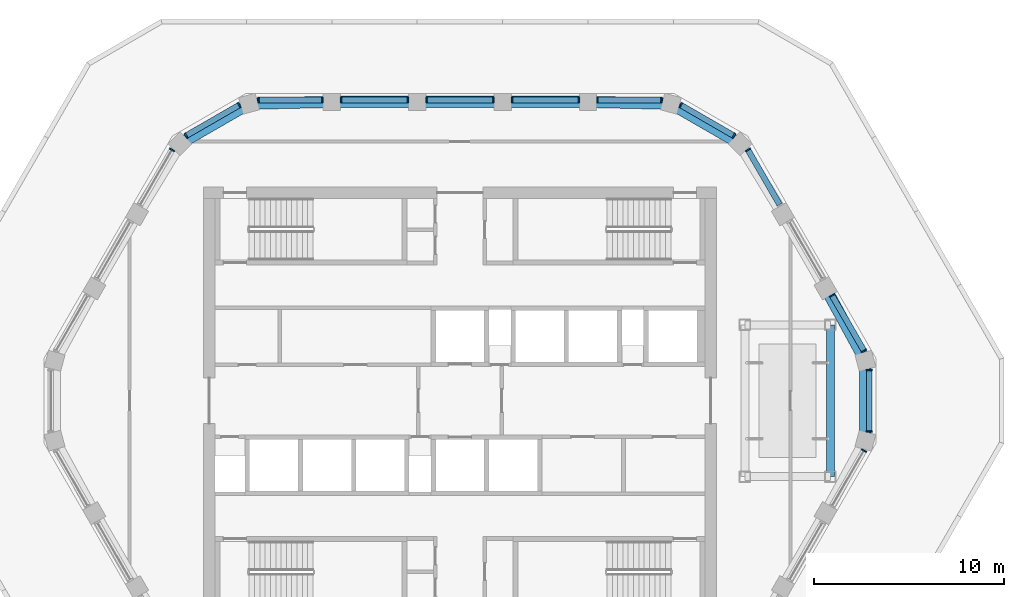
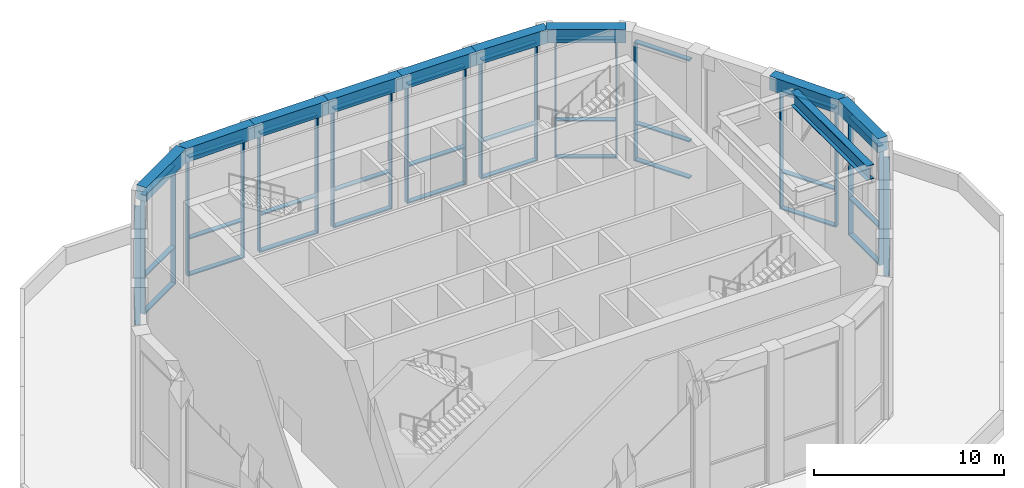
# One storey, part 3 of 11: 51 members, 10 beams, 12 elements without a shape of their own.
"""IFC4 building model written with IfcOpenShell, lengths in metres."""

from ifc_helpers import new_model, si_unit, direction, frame, origin, origin_2d, place, context, subcontext, project, spatial, rectangle, i_section, extrude, material, layer, layer_set, material_profile, profile_set, type_object, element, aggregate, save


model = new_model("IFC4")

# Units and contexts
model_context = context("Model", 3, precision=1e-05, world=origin(), true_north=direction((0.0, 1.0)))
body_context = subcontext(model_context, "Body", "Model", "MODEL_VIEW")
ifc_project = project(units=[si_unit("LENGTHUNIT", "METRE"), si_unit("AREAUNIT", "SQUARE_METRE"), si_unit("VOLUMEUNIT", "CUBIC_METRE"), si_unit("PLANEANGLEUNIT", "RADIAN"), si_unit("MASSUNIT", "GRAM", prefix="KILO")], contexts=[model_context])

# Site, building, storey
site_placement = place(None, origin())
site = spatial("IfcSite", under=ifc_project, at=site_placement, CompositionType="ELEMENT")
building_placement = place(site_placement, origin())
building = spatial("IfcBuilding", under=site, at=building_placement, Name="Dhurran Vertical Campus", CompositionType="ELEMENT")
storey_placement = place(building_placement, frame((0.0, 0.0, 309.89990234375)))
storey = spatial("IfcBuildingStorey", under=building, at=storey_placement, Name="L77 Damper Plant", CompositionType="ELEMENT", Elevation=309.89990234375)

# Curtain wall, member
ifc_material_1 = material(Name="Aluminium frame with solar-control glass", Category="aluminium")
ifc_layer = layer(ifc_material_1, 0.300048828125)
ifc_layer_set = layer_set([ifc_layer], Name="Aluminium frame with solar-control glass")
curtain_wall_type = type_object("IfcCurtainWallType", Name="Damper floor glazing system", PredefinedType="NOTDEFINED", material=ifc_layer_set)
curtain_wall_1_placement = place(storey_placement, origin())
curtain_wall_1 = element("IfcCurtainWall", 1, at=curtain_wall_1_placement, inside=storey, type_object=curtain_wall_type, Name="CW4 L77.08", PredefinedType="NOTDEFINED")
ifc_material_2 = material(Name="Aluminium mullion", Category="aluminium")
ifc_material_profile_1 = material_profile(ifc_material_2, rectangle(XDim=0.300048828125, YDim=0.080078125, at=origin_2d()), Name="Damper floor glazing system mullion")
ifc_profile_set_1 = profile_set([ifc_material_profile_1], Name="Aluminium mullion")
member_type_1 = type_object("IfcMemberType", Name="Damper floor glazing system mullion", PredefinedType="MULLION", material=ifc_profile_set_1)
member_1_placement = place(storey_placement, frame((21.27392578125, -2.62939453125, 0.0), z_axis=(0.0, 0.0, 1.0), x_axis=(-0.866027720988, 0.499995986465, 0.0)))
member_1 = element("IfcMember", 2, at=member_1_placement, type_object=member_type_1, Name="CW4 mullion 2", PredefinedType="MULLION", context=body_context, shape_type="SweptSolid", body=[
    extrude(rectangle(XDim=0.300048828125, YDim=0.080078125, at=origin_2d()), origin(), (0.0, 0.0, 1.0), 7.650146484375),
])
aggregate(curtain_wall_1, [member_1])

# Curtain wall, members
curtain_wall_2_placement = place(storey_placement, origin())
curtain_wall_2 = element("IfcCurtainWall", 3, at=curtain_wall_2_placement, inside=storey, type_object=curtain_wall_type, Name="CW4 L77.09", PredefinedType="NOTDEFINED")
member_2_placement = place(storey_placement, frame((21.547119140625, -1.60986328125, 0.0), z_axis=(0.0, 0.0, 1.0), x_axis=(-1.0, 0.0, 0.0)))
member_2 = element("IfcMember", 4, at=member_2_placement, type_object=member_type_1, Name="CW4 mullion 1", PredefinedType="MULLION", context=body_context, shape_type="SweptSolid", body=[
    extrude(rectangle(XDim=0.300048828125, YDim=0.080078125, at=origin_2d()), origin(), (0.0, 0.0, 1.0), 7.650146484375),
])
member_3_placement = place(storey_placement, frame((21.547119140625, 1.60986328125, 0.0), z_axis=(0.0, 0.0, 1.0), x_axis=(-1.0, 0.0, 0.0)))
member_3 = element("IfcMember", 5, at=member_3_placement, type_object=member_type_1, Name="CW4 mullion 2", PredefinedType="MULLION", context=body_context, shape_type="SweptSolid", body=[
    extrude(rectangle(XDim=0.300048828125, YDim=0.080078125, at=origin_2d()), origin(), (0.0, 0.0, 1.0), 7.650146484375),
])

curtain_wall_3_placement = place(storey_placement, origin())
curtain_wall_3 = element("IfcCurtainWall", 6, at=curtain_wall_3_placement, inside=storey, type_object=curtain_wall_type, Name="CW4 L77.10", PredefinedType="NOTDEFINED")
member_4_placement = place(storey_placement, frame((21.27392578125, 2.62939453125, 0.0), z_axis=(0.0, 0.0, 1.0), x_axis=(-0.866027720988, -0.499995986465, 0.0)))
member_4 = element("IfcMember", 7, at=member_4_placement, type_object=member_type_1, Name="CW4 mullion 1", PredefinedType="MULLION", context=body_context, shape_type="SweptSolid", body=[
    extrude(rectangle(XDim=0.300048828125, YDim=0.080078125, at=origin_2d()), origin(), (0.0, 0.0, 1.0), 7.650146484375),
])
member_5_placement = place(storey_placement, frame((19.58935546875, 5.54736328125, 0.0), z_axis=(0.0, 0.0, 1.0), x_axis=(-0.866027720988, -0.499995986465, 0.0)))
member_5 = element("IfcMember", 8, at=member_5_placement, type_object=member_type_1, Name="CW4 mullion 2", PredefinedType="MULLION", context=body_context, shape_type="SweptSolid", body=[
    extrude(rectangle(XDim=0.300048828125, YDim=0.080078125, at=origin_2d()), origin(), (0.0, 0.0, 1.0), 7.650146484375),
])

# Curtain wall, member
curtain_wall_4_placement = place(storey_placement, origin())
curtain_wall_4 = element("IfcCurtainWall", 9, at=curtain_wall_4_placement, inside=storey, type_object=curtain_wall_type, Name="CW4 L77.12", PredefinedType="NOTDEFINED")
member_6_placement = place(storey_placement, frame((15.1640625, 13.2119140625, 0.0), z_axis=(0.0, 0.0, 1.0), x_axis=(-0.866020473248, -0.500008539842, 0.0)))
member_6 = element("IfcMember", 10, at=member_6_placement, type_object=member_type_1, Name="CW4 mullion 2", PredefinedType="MULLION", context=body_context, shape_type="SweptSolid", body=[
    extrude(rectangle(XDim=0.300048828125, YDim=0.080078125, at=origin_2d()), origin(), (0.0, 0.0, 1.0), 7.650146484375),
])

# Curtain wall, members
curtain_wall_5_placement = place(storey_placement, origin())
curtain_wall_5 = element("IfcCurtainWall", 11, at=curtain_wall_5_placement, inside=storey, type_object=curtain_wall_type, Name="CW4 L77.13", PredefinedType="NOTDEFINED")
member_7_placement = place(storey_placement, frame((14.417724609375, 13.958251953125, 0.0), z_axis=(0.0, 0.0, 1.0), x_axis=(-0.500001394569, -0.866024598628, 0.0)))
member_7 = element("IfcMember", 12, at=member_7_placement, type_object=member_type_1, Name="CW4 mullion 1", PredefinedType="MULLION", context=body_context, shape_type="SweptSolid", body=[
    extrude(rectangle(XDim=0.300048828125, YDim=0.080078125, at=origin_2d()), origin(), (0.0, 0.0, 1.0), 7.650146484375),
])
member_8_placement = place(storey_placement, frame((11.62939453125, 15.568115234375, 0.0), z_axis=(0.0, 0.0, 1.0), x_axis=(-0.500001394569, -0.866024598628, 0.0)))
member_8 = element("IfcMember", 13, at=member_8_placement, type_object=member_type_1, Name="CW4 mullion 2", PredefinedType="MULLION", context=body_context, shape_type="SweptSolid", body=[
    extrude(rectangle(XDim=0.300048828125, YDim=0.080078125, at=origin_2d()), origin(), (0.0, 0.0, 1.0), 7.650146484375),
])

curtain_wall_6_placement = place(storey_placement, origin())
curtain_wall_6 = element("IfcCurtainWall", 14, at=curtain_wall_6_placement, inside=storey, type_object=curtain_wall_type, Name="CW4 L77.14", PredefinedType="NOTDEFINED")
member_9_placement = place(storey_placement, frame((10.60986328125, 15.84130859375, 0.0), z_axis=(0.0, 0.0, 1.0), x_axis=(0.0, -1.0, 0.0)))
member_9 = element("IfcMember", 15, at=member_9_placement, type_object=member_type_1, Name="CW4 mullion 1", PredefinedType="MULLION", context=body_context, shape_type="SweptSolid", body=[
    extrude(rectangle(XDim=0.300048828125, YDim=0.080078125, at=origin_2d()), origin(), (0.0, 0.0, 1.0), 7.650146484375),
])
member_10_placement = place(storey_placement, frame((7.240478515625, 15.84130859375, 0.0), z_axis=(0.0, 0.0, 1.0), x_axis=(0.0, -1.0, 0.0)))
member_10 = element("IfcMember", 16, at=member_10_placement, type_object=member_type_1, Name="CW4 mullion 2", PredefinedType="MULLION", context=body_context, shape_type="SweptSolid", body=[
    extrude(rectangle(XDim=0.300048828125, YDim=0.080078125, at=origin_2d()), origin(), (0.0, 0.0, 1.0), 7.650146484375),
])

curtain_wall_7_placement = place(storey_placement, origin())
curtain_wall_7 = element("IfcCurtainWall", 17, at=curtain_wall_7_placement, inside=storey, type_object=curtain_wall_type, Name="CW4 L77.15", PredefinedType="NOTDEFINED")
member_11_placement = place(storey_placement, frame((6.259521484375, 15.84130859375, 0.0), z_axis=(0.0, 0.0, 1.0), x_axis=(0.0, -1.0, 0.0)))
member_11 = element("IfcMember", 18, at=member_11_placement, type_object=member_type_1, Name="CW4 mullion 1", PredefinedType="MULLION", context=body_context, shape_type="SweptSolid", body=[
    extrude(rectangle(XDim=0.300048828125, YDim=0.080078125, at=origin_2d()), origin(), (0.0, 0.0, 1.0), 7.650146484375),
])
member_12_placement = place(storey_placement, frame((2.740478515625, 15.84130859375, 0.0), z_axis=(0.0, 0.0, 1.0), x_axis=(0.0, -1.0, 0.0)))
member_12 = element("IfcMember", 19, at=member_12_placement, type_object=member_type_1, Name="CW4 mullion 2", PredefinedType="MULLION", context=body_context, shape_type="SweptSolid", body=[
    extrude(rectangle(XDim=0.300048828125, YDim=0.080078125, at=origin_2d()), origin(), (0.0, 0.0, 1.0), 7.650146484375),
])

curtain_wall_8_placement = place(storey_placement, origin())
curtain_wall_8 = element("IfcCurtainWall", 20, at=curtain_wall_8_placement, inside=storey, type_object=curtain_wall_type, Name="CW4 L77.16", PredefinedType="NOTDEFINED")
member_13_placement = place(storey_placement, frame((1.759521484375, 15.84130859375, 0.0), z_axis=(0.0, 0.0, 1.0), x_axis=(0.0, -1.0, 0.0)))
member_13 = element("IfcMember", 21, at=member_13_placement, type_object=member_type_1, Name="CW4 mullion 1", PredefinedType="MULLION", context=body_context, shape_type="SweptSolid", body=[
    extrude(rectangle(XDim=0.300048828125, YDim=0.080078125, at=origin_2d()), origin(), (0.0, 0.0, 1.0), 7.650146484375),
])
member_14_placement = place(storey_placement, frame((-1.759521484375, 15.84130859375, 0.0), z_axis=(0.0, 0.0, 1.0), x_axis=(0.0, -1.0, 0.0)))
member_14 = element("IfcMember", 22, at=member_14_placement, type_object=member_type_1, Name="CW4 mullion 2", PredefinedType="MULLION", context=body_context, shape_type="SweptSolid", body=[
    extrude(rectangle(XDim=0.300048828125, YDim=0.080078125, at=origin_2d()), origin(), (0.0, 0.0, 1.0), 7.650146484375),
])

curtain_wall_9_placement = place(storey_placement, origin())
curtain_wall_9 = element("IfcCurtainWall", 23, at=curtain_wall_9_placement, inside=storey, type_object=curtain_wall_type, Name="CW4 L77.17", PredefinedType="NOTDEFINED")
member_15_placement = place(storey_placement, frame((-2.740478515625, 15.84130859375, 0.0), z_axis=(0.0, 0.0, 1.0), x_axis=(0.0, -1.0, 0.0)))
member_15 = element("IfcMember", 24, at=member_15_placement, type_object=member_type_1, Name="CW4 mullion 1", PredefinedType="MULLION", context=body_context, shape_type="SweptSolid", body=[
    extrude(rectangle(XDim=0.300048828125, YDim=0.080078125, at=origin_2d()), origin(), (0.0, 0.0, 1.0), 7.650146484375),
])
member_16_placement = place(storey_placement, frame((-6.259521484375, 15.84130859375, 0.0), z_axis=(0.0, 0.0, 1.0), x_axis=(0.0, -1.0, 0.0)))
member_16 = element("IfcMember", 25, at=member_16_placement, type_object=member_type_1, Name="CW4 mullion 2", PredefinedType="MULLION", context=body_context, shape_type="SweptSolid", body=[
    extrude(rectangle(XDim=0.300048828125, YDim=0.080078125, at=origin_2d()), origin(), (0.0, 0.0, 1.0), 7.650146484375),
])

curtain_wall_10_placement = place(storey_placement, origin())
curtain_wall_10 = element("IfcCurtainWall", 26, at=curtain_wall_10_placement, inside=storey, type_object=curtain_wall_type, Name="CW4 L77.18", PredefinedType="NOTDEFINED")
member_17_placement = place(storey_placement, frame((-7.240478515625, 15.84130859375, 0.0), z_axis=(0.0, 0.0, 1.0), x_axis=(0.0, -1.0, 0.0)))
member_17 = element("IfcMember", 27, at=member_17_placement, type_object=member_type_1, Name="CW4 mullion 1", PredefinedType="MULLION", context=body_context, shape_type="SweptSolid", body=[
    extrude(rectangle(XDim=0.300048828125, YDim=0.080078125, at=origin_2d()), origin(), (0.0, 0.0, 1.0), 7.650146484375),
])
member_18_placement = place(storey_placement, frame((-10.60986328125, 15.84130859375, 0.0), z_axis=(0.0, 0.0, 1.0), x_axis=(0.0, -1.0, 0.0)))
member_18 = element("IfcMember", 28, at=member_18_placement, type_object=member_type_1, Name="CW4 mullion 2", PredefinedType="MULLION", context=body_context, shape_type="SweptSolid", body=[
    extrude(rectangle(XDim=0.300048828125, YDim=0.080078125, at=origin_2d()), origin(), (0.0, 0.0, 1.0), 7.650146484375),
])

curtain_wall_11_placement = place(storey_placement, origin())
curtain_wall_11 = element("IfcCurtainWall", 29, at=curtain_wall_11_placement, inside=storey, type_object=curtain_wall_type, Name="CW4 L77.19", PredefinedType="NOTDEFINED")
member_19_placement = place(storey_placement, frame((-11.62939453125, 15.568115234375, 0.0), z_axis=(0.0, 0.0, 1.0), x_axis=(0.500001394569, -0.866024598628, 0.0)))
member_19 = element("IfcMember", 30, at=member_19_placement, type_object=member_type_1, Name="CW4 mullion 1", PredefinedType="MULLION", context=body_context, shape_type="SweptSolid", body=[
    extrude(rectangle(XDim=0.300048828125, YDim=0.080078125, at=origin_2d()), origin(), (0.0, 0.0, 1.0), 7.650146484375),
])
member_20_placement = place(storey_placement, frame((-14.417724609375, 13.958251953125, 0.0), z_axis=(0.0, 0.0, 1.0), x_axis=(0.500001394569, -0.866024598628, 0.0)))
member_20 = element("IfcMember", 31, at=member_20_placement, type_object=member_type_1, Name="CW4 mullion 2", PredefinedType="MULLION", context=body_context, shape_type="SweptSolid", body=[
    extrude(rectangle(XDim=0.300048828125, YDim=0.080078125, at=origin_2d()), origin(), (0.0, 0.0, 1.0), 7.650146484375),
])

# Curtain wall, member
curtain_wall_12_placement = place(storey_placement, origin())
curtain_wall_12 = element("IfcCurtainWall", 32, at=curtain_wall_12_placement, inside=storey, type_object=curtain_wall_type, Name="CW4 L77.20", PredefinedType="NOTDEFINED")
member_21_placement = place(storey_placement, frame((-15.1640625, 13.2119140625, 0.0), z_axis=(0.0, 0.0, 1.0), x_axis=(0.866020473248, -0.500008539842, 0.0)))
member_21 = element("IfcMember", 33, at=member_21_placement, type_object=member_type_1, Name="CW4 mullion 1", PredefinedType="MULLION", context=body_context, shape_type="SweptSolid", body=[
    extrude(rectangle(XDim=0.300048828125, YDim=0.080078125, at=origin_2d()), origin(), (0.0, 0.0, 1.0), 7.650146484375),
])
aggregate(curtain_wall_12, [member_21])

# Member
ifc_material_3 = material(Name="Aluminium transom", Category="aluminium")
ifc_material_profile_2 = material_profile(ifc_material_3, rectangle(XDim=0.300048828125, YDim=0.080078125, at=origin_2d()), Name="Damper floor glazing system transom")
ifc_profile_set_2 = profile_set([ifc_material_profile_2], Name="Aluminium transom")
member_type_2 = type_object("IfcMemberType", Name="Damper floor glazing system transom", PredefinedType="USERDEFINED", material=ifc_profile_set_2)
member_22_placement = place(storey_placement, frame((21.547119140625, -1.56982421875, 0.0400390625), z_axis=(0.0, 1.0, 0.0), x_axis=(-1.0, 0.0, 0.0)))
member_22 = element("IfcMember", 34, at=member_22_placement, type_object=member_type_2, Name="CW4 transom 1.1", ObjectType="TRANSOM", PredefinedType="USERDEFINED", context=body_context, shape_type="SweptSolid", body=[
    extrude(rectangle(XDim=0.300048828125, YDim=0.080078125, at=origin_2d()), origin(), (0.0, 0.0, 1.0), 3.1396484375),
])

member_23_placement = place(storey_placement, frame((21.547119140625, -1.56982421875, 2.400146484375), z_axis=(0.0, 1.0, 0.0), x_axis=(-1.0, 0.0, 0.0)))
member_23 = element("IfcMember", 35, at=member_23_placement, type_object=member_type_2, Name="CW4 transom 1.2", ObjectType="TRANSOM", PredefinedType="USERDEFINED", context=body_context, shape_type="SweptSolid", body=[
    extrude(rectangle(XDim=0.300048828125, YDim=0.080078125, at=origin_2d()), origin(), (0.0, 0.0, 1.0), 3.1396484375),
])

member_24_placement = place(storey_placement, frame((21.547119140625, -1.56982421875, 7.610107421875), z_axis=(0.0, 1.0, 0.0), x_axis=(-1.0, 0.0, 0.0)))
member_24 = element("IfcMember", 36, at=member_24_placement, type_object=member_type_2, Name="CW4 transom 1.3", ObjectType="TRANSOM", PredefinedType="USERDEFINED", context=body_context, shape_type="SweptSolid", body=[
    extrude(rectangle(XDim=0.300048828125, YDim=0.080078125, at=origin_2d()), origin(), (0.0, 0.0, 1.0), 3.1396484375),
])

aggregate(curtain_wall_2, [member_2, member_3, member_22, member_23, member_24])

member_25_placement = place(storey_placement, frame((21.25390625, 2.6640625, 0.0400390625), z_axis=(-0.499970888758, 0.866042210515, 0.0), x_axis=(-0.866042210515, -0.499970888758, 0.0)))
member_25 = element("IfcMember", 37, at=member_25_placement, type_object=member_type_2, Name="CW4 transom 1.1", ObjectType="TRANSOM", PredefinedType="USERDEFINED", context=body_context, shape_type="SweptSolid", body=[
    extrude(rectangle(XDim=0.300048828125, YDim=0.080078125, at=origin_2d()), origin(), (0.0, 0.0, 1.0), 3.289306640625),
])

member_26_placement = place(storey_placement, frame((21.25390625, 2.6640625, 2.400146484375), z_axis=(-0.499970888758, 0.866042210515, 0.0), x_axis=(-0.866042210515, -0.499970888758, 0.0)))
member_26 = element("IfcMember", 38, at=member_26_placement, type_object=member_type_2, Name="CW4 transom 1.2", ObjectType="TRANSOM", PredefinedType="USERDEFINED", context=body_context, shape_type="SweptSolid", body=[
    extrude(rectangle(XDim=0.300048828125, YDim=0.080078125, at=origin_2d()), origin(), (0.0, 0.0, 1.0), 3.289306640625),
])

member_27_placement = place(storey_placement, frame((21.25390625, 2.6640625, 7.610107421875), z_axis=(-0.499970888758, 0.866042210515, 0.0), x_axis=(-0.866042210515, -0.499970888758, 0.0)))
member_27 = element("IfcMember", 39, at=member_27_placement, type_object=member_type_2, Name="CW4 transom 1.3", ObjectType="TRANSOM", PredefinedType="USERDEFINED", context=body_context, shape_type="SweptSolid", body=[
    extrude(rectangle(XDim=0.300048828125, YDim=0.080078125, at=origin_2d()), origin(), (0.0, 0.0, 1.0), 3.289306640625),
])

aggregate(curtain_wall_3, [member_4, member_5, member_25, member_26, member_27])

member_28_placement = place(storey_placement, frame((16.828857421875, 10.32861328125, 0.0400390625), z_axis=(-0.5000265556, 0.866010071359, 0.0), x_axis=(-0.866010071359, -0.5000265556, 0.0)))
member_28 = element("IfcMember", 40, at=member_28_placement, type_object=member_type_2, Name="CW4 transom 1.1", ObjectType="TRANSOM", PredefinedType="USERDEFINED", context=body_context, shape_type="SweptSolid", body=[
    extrude(rectangle(XDim=0.300048828125, YDim=0.080078125, at=origin_2d()), origin(), (0.0, 0.0, 1.0), 3.289306640625),
])

member_29_placement = place(storey_placement, frame((16.828857421875, 10.32861328125, 2.400146484375), z_axis=(-0.5000265556, 0.866010071359, 0.0), x_axis=(-0.866010071359, -0.5000265556, 0.0)))
member_29 = element("IfcMember", 41, at=member_29_placement, type_object=member_type_2, Name="CW4 transom 1.2", ObjectType="TRANSOM", PredefinedType="USERDEFINED", context=body_context, shape_type="SweptSolid", body=[
    extrude(rectangle(XDim=0.300048828125, YDim=0.080078125, at=origin_2d()), origin(), (0.0, 0.0, 1.0), 3.289306640625),
])

member_30_placement = place(storey_placement, frame((16.828857421875, 10.32861328125, 7.610107421875), z_axis=(-0.5000265556, 0.866010071359, 0.0), x_axis=(-0.866010071359, -0.5000265556, 0.0)))
member_30 = element("IfcMember", 42, at=member_30_placement, type_object=member_type_2, Name="CW4 transom 1.3", ObjectType="TRANSOM", PredefinedType="USERDEFINED", context=body_context, shape_type="SweptSolid", body=[
    extrude(rectangle(XDim=0.300048828125, YDim=0.080078125, at=origin_2d()), origin(), (0.0, 0.0, 1.0), 3.289306640625),
])

aggregate(curtain_wall_4, [member_6, member_28, member_29, member_30])

member_31_placement = place(storey_placement, frame((14.383056640625, 13.978271484375, 0.0400390625), z_axis=(-0.866023718453, 0.500002919068, 0.0), x_axis=(-0.500002919068, -0.866023718453, 0.0)))
member_31 = element("IfcMember", 43, at=member_31_placement, type_object=member_type_2, Name="CW4 transom 1.1", ObjectType="TRANSOM", PredefinedType="USERDEFINED", context=body_context, shape_type="SweptSolid", body=[
    extrude(rectangle(XDim=0.300048828125, YDim=0.080078125, at=origin_2d()), origin(), (0.0, 0.0, 1.0), 3.1396484375),
])

member_32_placement = place(storey_placement, frame((14.383056640625, 13.978271484375, 2.400146484375), z_axis=(-0.866023718453, 0.500002919068, 0.0), x_axis=(-0.500002919068, -0.866023718453, 0.0)))
member_32 = element("IfcMember", 44, at=member_32_placement, type_object=member_type_2, Name="CW4 transom 1.2", ObjectType="TRANSOM", PredefinedType="USERDEFINED", context=body_context, shape_type="SweptSolid", body=[
    extrude(rectangle(XDim=0.300048828125, YDim=0.080078125, at=origin_2d()), origin(), (0.0, 0.0, 1.0), 3.1396484375),
])

member_33_placement = place(storey_placement, frame((14.383056640625, 13.978271484375, 7.610107421875), z_axis=(-0.866023718453, 0.500002919068, 0.0), x_axis=(-0.500002919068, -0.866023718453, 0.0)))
member_33 = element("IfcMember", 45, at=member_33_placement, type_object=member_type_2, Name="CW4 transom 1.3", ObjectType="TRANSOM", PredefinedType="USERDEFINED", context=body_context, shape_type="SweptSolid", body=[
    extrude(rectangle(XDim=0.300048828125, YDim=0.080078125, at=origin_2d()), origin(), (0.0, 0.0, 1.0), 3.1396484375),
])

aggregate(curtain_wall_5, [member_7, member_8, member_31, member_32, member_33])

member_34_placement = place(storey_placement, frame((10.56982421875, 15.84130859375, 0.0400390625), z_axis=(-1.0, 0.0, 0.0), x_axis=(0.0, -1.0, 0.0)))
member_34 = element("IfcMember", 46, at=member_34_placement, type_object=member_type_2, Name="CW4 transom 1.1", ObjectType="TRANSOM", PredefinedType="USERDEFINED", context=body_context, shape_type="SweptSolid", body=[
    extrude(rectangle(XDim=0.300048828125, YDim=0.080078125, at=origin_2d()), origin(), (0.0, 0.0, 1.0), 3.289306640625),
])

member_35_placement = place(storey_placement, frame((10.56982421875, 15.84130859375, 2.400146484375), z_axis=(-1.0, 0.0, 0.0), x_axis=(0.0, -1.0, 0.0)))
member_35 = element("IfcMember", 47, at=member_35_placement, type_object=member_type_2, Name="CW4 transom 1.2", ObjectType="TRANSOM", PredefinedType="USERDEFINED", context=body_context, shape_type="SweptSolid", body=[
    extrude(rectangle(XDim=0.300048828125, YDim=0.080078125, at=origin_2d()), origin(), (0.0, 0.0, 1.0), 3.289306640625),
])

member_36_placement = place(storey_placement, frame((10.56982421875, 15.84130859375, 7.610107421875), z_axis=(-1.0, 0.0, 0.0), x_axis=(0.0, -1.0, 0.0)))
member_36 = element("IfcMember", 48, at=member_36_placement, type_object=member_type_2, Name="CW4 transom 1.3", ObjectType="TRANSOM", PredefinedType="USERDEFINED", context=body_context, shape_type="SweptSolid", body=[
    extrude(rectangle(XDim=0.300048828125, YDim=0.080078125, at=origin_2d()), origin(), (0.0, 0.0, 1.0), 3.289306640625),
])

aggregate(curtain_wall_6, [member_9, member_10, member_34, member_35, member_36])

member_37_placement = place(storey_placement, frame((6.219482421875, 15.84130859375, 0.0400390625), z_axis=(-1.0, 0.0, 0.0), x_axis=(0.0, -1.0, 0.0)))
member_37 = element("IfcMember", 49, at=member_37_placement, type_object=member_type_2, Name="CW4 transom 1.1", ObjectType="TRANSOM", PredefinedType="USERDEFINED", context=body_context, shape_type="SweptSolid", body=[
    extrude(rectangle(XDim=0.300048828125, YDim=0.080078125, at=origin_2d()), origin(), (0.0, 0.0, 1.0), 3.43896484375),
])

member_38_placement = place(storey_placement, frame((6.219482421875, 15.84130859375, 2.400146484375), z_axis=(-1.0, 0.0, 0.0), x_axis=(0.0, -1.0, 0.0)))
member_38 = element("IfcMember", 50, at=member_38_placement, type_object=member_type_2, Name="CW4 transom 1.2", ObjectType="TRANSOM", PredefinedType="USERDEFINED", context=body_context, shape_type="SweptSolid", body=[
    extrude(rectangle(XDim=0.300048828125, YDim=0.080078125, at=origin_2d()), origin(), (0.0, 0.0, 1.0), 3.43896484375),
])

member_39_placement = place(storey_placement, frame((6.219482421875, 15.84130859375, 7.610107421875), z_axis=(-1.0, 0.0, 0.0), x_axis=(0.0, -1.0, 0.0)))
member_39 = element("IfcMember", 51, at=member_39_placement, type_object=member_type_2, Name="CW4 transom 1.3", ObjectType="TRANSOM", PredefinedType="USERDEFINED", context=body_context, shape_type="SweptSolid", body=[
    extrude(rectangle(XDim=0.300048828125, YDim=0.080078125, at=origin_2d()), origin(), (0.0, 0.0, 1.0), 3.43896484375),
])

aggregate(curtain_wall_7, [member_11, member_12, member_37, member_38, member_39])

member_40_placement = place(storey_placement, frame((1.719482421875, 15.84130859375, 0.0400390625), z_axis=(-1.0, 0.0, 0.0), x_axis=(0.0, -1.0, 0.0)))
member_40 = element("IfcMember", 52, at=member_40_placement, type_object=member_type_2, Name="CW4 transom 1.1", ObjectType="TRANSOM", PredefinedType="USERDEFINED", context=body_context, shape_type="SweptSolid", body=[
    extrude(rectangle(XDim=0.300048828125, YDim=0.080078125, at=origin_2d()), origin(), (0.0, 0.0, 1.0), 3.43896484375),
])

member_41_placement = place(storey_placement, frame((1.719482421875, 15.84130859375, 2.400146484375), z_axis=(-1.0, 0.0, 0.0), x_axis=(0.0, -1.0, 0.0)))
member_41 = element("IfcMember", 53, at=member_41_placement, type_object=member_type_2, Name="CW4 transom 1.2", ObjectType="TRANSOM", PredefinedType="USERDEFINED", context=body_context, shape_type="SweptSolid", body=[
    extrude(rectangle(XDim=0.300048828125, YDim=0.080078125, at=origin_2d()), origin(), (0.0, 0.0, 1.0), 3.43896484375),
])

member_42_placement = place(storey_placement, frame((1.719482421875, 15.84130859375, 7.610107421875), z_axis=(-1.0, 0.0, 0.0), x_axis=(0.0, -1.0, 0.0)))
member_42 = element("IfcMember", 54, at=member_42_placement, type_object=member_type_2, Name="CW4 transom 1.3", ObjectType="TRANSOM", PredefinedType="USERDEFINED", context=body_context, shape_type="SweptSolid", body=[
    extrude(rectangle(XDim=0.300048828125, YDim=0.080078125, at=origin_2d()), origin(), (0.0, 0.0, 1.0), 3.43896484375),
])

aggregate(curtain_wall_8, [member_13, member_14, member_40, member_41, member_42])

member_43_placement = place(storey_placement, frame((-2.780517578125, 15.84130859375, 0.0400390625), z_axis=(-1.0, 0.0, 0.0), x_axis=(0.0, -1.0, 0.0)))
member_43 = element("IfcMember", 55, at=member_43_placement, type_object=member_type_2, Name="CW4 transom 1.1", ObjectType="TRANSOM", PredefinedType="USERDEFINED", context=body_context, shape_type="SweptSolid", body=[
    extrude(rectangle(XDim=0.300048828125, YDim=0.080078125, at=origin_2d()), origin(), (0.0, 0.0, 1.0), 3.43896484375),
])

member_44_placement = place(storey_placement, frame((-2.780517578125, 15.84130859375, 2.400146484375), z_axis=(-1.0, 0.0, 0.0), x_axis=(0.0, -1.0, 0.0)))
member_44 = element("IfcMember", 56, at=member_44_placement, type_object=member_type_2, Name="CW4 transom 1.2", ObjectType="TRANSOM", PredefinedType="USERDEFINED", context=body_context, shape_type="SweptSolid", body=[
    extrude(rectangle(XDim=0.300048828125, YDim=0.080078125, at=origin_2d()), origin(), (0.0, 0.0, 1.0), 3.43896484375),
])

member_45_placement = place(storey_placement, frame((-2.780517578125, 15.84130859375, 7.610107421875), z_axis=(-1.0, 0.0, 0.0), x_axis=(0.0, -1.0, 0.0)))
member_45 = element("IfcMember", 57, at=member_45_placement, type_object=member_type_2, Name="CW4 transom 1.3", ObjectType="TRANSOM", PredefinedType="USERDEFINED", context=body_context, shape_type="SweptSolid", body=[
    extrude(rectangle(XDim=0.300048828125, YDim=0.080078125, at=origin_2d()), origin(), (0.0, 0.0, 1.0), 3.43896484375),
])

aggregate(curtain_wall_9, [member_15, member_16, member_43, member_44, member_45])

member_46_placement = place(storey_placement, frame((-7.280517578125, 15.84130859375, 0.0400390625), z_axis=(-1.0, 0.0, 0.0), x_axis=(0.0, -1.0, 0.0)))
member_46 = element("IfcMember", 58, at=member_46_placement, type_object=member_type_2, Name="CW4 transom 1.1", ObjectType="TRANSOM", PredefinedType="USERDEFINED", context=body_context, shape_type="SweptSolid", body=[
    extrude(rectangle(XDim=0.300048828125, YDim=0.080078125, at=origin_2d()), origin(), (0.0, 0.0, 1.0), 3.289306640625),
])

member_47_placement = place(storey_placement, frame((-7.280517578125, 15.84130859375, 2.400146484375), z_axis=(-1.0, 0.0, 0.0), x_axis=(0.0, -1.0, 0.0)))
member_47 = element("IfcMember", 59, at=member_47_placement, type_object=member_type_2, Name="CW4 transom 1.2", ObjectType="TRANSOM", PredefinedType="USERDEFINED", context=body_context, shape_type="SweptSolid", body=[
    extrude(rectangle(XDim=0.300048828125, YDim=0.080078125, at=origin_2d()), origin(), (0.0, 0.0, 1.0), 3.289306640625),
])

member_48_placement = place(storey_placement, frame((-7.280517578125, 15.84130859375, 7.610107421875), z_axis=(-1.0, 0.0, 0.0), x_axis=(0.0, -1.0, 0.0)))
member_48 = element("IfcMember", 60, at=member_48_placement, type_object=member_type_2, Name="CW4 transom 1.3", ObjectType="TRANSOM", PredefinedType="USERDEFINED", context=body_context, shape_type="SweptSolid", body=[
    extrude(rectangle(XDim=0.300048828125, YDim=0.080078125, at=origin_2d()), origin(), (0.0, 0.0, 1.0), 3.289306640625),
])

aggregate(curtain_wall_10, [member_17, member_18, member_46, member_47, member_48])

member_49_placement = place(storey_placement, frame((-11.6640625, 15.548095703125, 0.0400390625), z_axis=(-0.866023718453, -0.500002919068, 0.0), x_axis=(0.500002919068, -0.866023718453, 0.0)))
member_49 = element("IfcMember", 61, at=member_49_placement, type_object=member_type_2, Name="CW4 transom 1.1", ObjectType="TRANSOM", PredefinedType="USERDEFINED", context=body_context, shape_type="SweptSolid", body=[
    extrude(rectangle(XDim=0.300048828125, YDim=0.080078125, at=origin_2d()), origin(), (0.0, 0.0, 1.0), 3.1396484375),
])

member_50_placement = place(storey_placement, frame((-11.6640625, 15.548095703125, 2.400146484375), z_axis=(-0.866023718453, -0.500002919068, 0.0), x_axis=(0.500002919068, -0.866023718453, 0.0)))
member_50 = element("IfcMember", 62, at=member_50_placement, type_object=member_type_2, Name="CW4 transom 1.2", ObjectType="TRANSOM", PredefinedType="USERDEFINED", context=body_context, shape_type="SweptSolid", body=[
    extrude(rectangle(XDim=0.300048828125, YDim=0.080078125, at=origin_2d()), origin(), (0.0, 0.0, 1.0), 3.1396484375),
])

member_51_placement = place(storey_placement, frame((-11.6640625, 15.548095703125, 7.610107421875), z_axis=(-0.866023718453, -0.500002919068, 0.0), x_axis=(0.500002919068, -0.866023718453, 0.0)))
member_51 = element("IfcMember", 63, at=member_51_placement, type_object=member_type_2, Name="CW4 transom 1.3", ObjectType="TRANSOM", PredefinedType="USERDEFINED", context=body_context, shape_type="SweptSolid", body=[
    extrude(rectangle(XDim=0.300048828125, YDim=0.080078125, at=origin_2d()), origin(), (0.0, 0.0, 1.0), 3.1396484375),
])

aggregate(curtain_wall_11, [member_19, member_20, member_49, member_50, member_51])

# Beams
ifc_material_4 = material(Name="Steel ASTM A992", Category="steel")
ifc_material_profile_3 = material_profile(ifc_material_4, i_section(OverallWidth=0.423095703125, OverallDepth=0.93310546875, WebThickness=0.02392578125, FlangeThickness=0.042724609375, at=origin_2d()), Name="W920x449")
ifc_profile_set_3 = profile_set([ifc_material_profile_3], Name="Steel ASTM A992")
beam_type_1 = type_object("IfcBeamType", Name="cr/beam/damper", PredefinedType="BEAM", material=ifc_profile_set_3)
beam_1_placement = place(storey_placement, frame((19.5, -4.0, 8.08349609375), z_axis=(0.0, 1.0, 0.0), x_axis=(-1.0, 0.0, 0.0)))
element("IfcBeam", 64, at=beam_1_placement, inside=storey, type_object=beam_type_1, Name="Damper frame girder 2", PredefinedType="BEAM", context=body_context, shape_type="SweptSolid", body=[
    extrude(i_section(OverallWidth=0.423095703125, OverallDepth=0.93310546875, WebThickness=0.02392578125, FlangeThickness=0.042724609375, at=origin_2d()), origin(), (0.0, 0.0, 1.0), 8.0),
])
ifc_material_5 = material(Name="Concrete C40/50", Category="concrete")
ifc_material_profile_4 = material_profile(ifc_material_5, rectangle(XDim=0.60009765625, YDim=0.89990234375, at=origin_2d()), Name="cr/beam/edge")
ifc_profile_set_4 = profile_set([ifc_material_profile_4], Name="Concrete C40/50")
beam_type_2 = type_object("IfcBeamType", Name="cr/beam/edge", PredefinedType="BEAM", material=ifc_profile_set_4)
beam_2_placement = place(storey_placement, frame((21.345947265625, -2.102294921875, 8.10009765625), z_axis=(0.0, 1.0, 0.0), x_axis=(-1.0, 0.0, 0.0)))
element("IfcBeam", 65, at=beam_2_placement, inside=storey, type_object=beam_type_2, Name="Crown edge beam L77 10", PredefinedType="BEAM", context=body_context, shape_type="SweptSolid", body=[
    extrude(rectangle(XDim=0.60009765625, YDim=0.89990234375, at=origin_2d()), origin(), (0.0, 0.0, 1.0), 4.20458984375),
])
beam_3_placement = place(storey_placement, frame((21.345947265625, 2.102294921875, 8.10009765625), z_axis=(-0.479751635625, 0.877404335592, 0.0), x_axis=(-0.877404335592, -0.479751635625, 0.0)))
element("IfcBeam", 66, at=beam_3_placement, inside=storey, type_object=beam_type_2, Name="Crown edge beam L77 11", PredefinedType="BEAM", context=body_context, shape_type="SweptSolid", body=[
    extrude(rectangle(XDim=0.60009765625, YDim=0.89990234375, at=origin_2d()), origin(), (0.0, 0.0, 1.0), 4.353515625),
])
beam_4_placement = place(storey_placement, frame((14.74365234375, 13.537841796875, 8.10009765625), z_axis=(-0.866029910937, 0.499992193301, 0.0), x_axis=(-0.499992193301, -0.866029910937, 0.0)))
element("IfcBeam", 67, at=beam_4_placement, inside=storey, type_object=beam_type_2, Name="Crown edge beam L77 14", PredefinedType="BEAM", context=body_context, shape_type="SweptSolid", body=[
    extrude(rectangle(XDim=0.60009765625, YDim=0.89990234375, at=origin_2d()), origin(), (0.0, 0.0, 1.0), 4.20458984375),
])
beam_5_placement = place(storey_placement, frame((11.102294921875, 15.64013671875, 8.10009765625), z_axis=(-0.999730450498, 0.023216940961, 0.0), x_axis=(-0.023216940961, -0.999730450498, 0.0)))
element("IfcBeam", 68, at=beam_5_placement, inside=storey, type_object=beam_type_2, Name="Crown edge beam L77 15", PredefinedType="BEAM", context=body_context, shape_type="SweptSolid", body=[
    extrude(rectangle(XDim=0.60009765625, YDim=0.89990234375, at=origin_2d()), origin(), (0.0, 0.0, 1.0), 4.353515625),
])
for number, where, z_axis, x_axis, name in (
    (69, (6.75, 15.7412109375, 8.10009765625), (-1.0, 0.0, 0.0), (0.0, -1.0, 0.0), "Crown edge beam L77 16"),
    (70, (2.25, 15.7412109375, 8.10009765625), (-1.0, 0.0, 0.0), (0.0, -1.0, 0.0), "Crown edge beam L77 17"),
    (71, (-2.25, 15.7412109375, 8.10009765625), (-1.0, 0.0, 0.0), (0.0, -1.0, 0.0), "Crown edge beam L77 18"),
):
    element("IfcBeam", number, at=place(storey_placement, frame(where, z_axis=z_axis, x_axis=x_axis)), inside=storey, type_object=beam_type_2, Name=name, PredefinedType="BEAM", context=body_context, shape_type="SweptSolid", body=[
        extrude(rectangle(XDim=0.60009765625, YDim=0.89990234375, at=origin_2d()), origin(), (0.0, 0.0, 1.0), 4.5),
    ])
beam_6_placement = place(storey_placement, frame((-6.75, 15.7412109375, 8.10009765625), z_axis=(-0.999730450498, -0.023216940961, 0.0), x_axis=(0.023216940961, -0.999730450498, 0.0)))
element("IfcBeam", 72, at=beam_6_placement, inside=storey, type_object=beam_type_2, Name="Crown edge beam L77 19", PredefinedType="BEAM", context=body_context, shape_type="SweptSolid", body=[
    extrude(rectangle(XDim=0.60009765625, YDim=0.89990234375, at=origin_2d()), origin(), (0.0, 0.0, 1.0), 4.353515625),
])
beam_7_placement = place(storey_placement, frame((-11.102294921875, 15.64013671875, 8.10009765625), z_axis=(-0.866029910937, -0.499992193301, 0.0), x_axis=(0.499992193301, -0.866029910937, 0.0)))
element("IfcBeam", 73, at=beam_7_placement, inside=storey, type_object=beam_type_2, Name="Crown edge beam L77 20", PredefinedType="BEAM", context=body_context, shape_type="SweptSolid", body=[
    extrude(rectangle(XDim=0.60009765625, YDim=0.89990234375, at=origin_2d()), origin(), (0.0, 0.0, 1.0), 4.20458984375),
])

save(model, "model.ifc")
